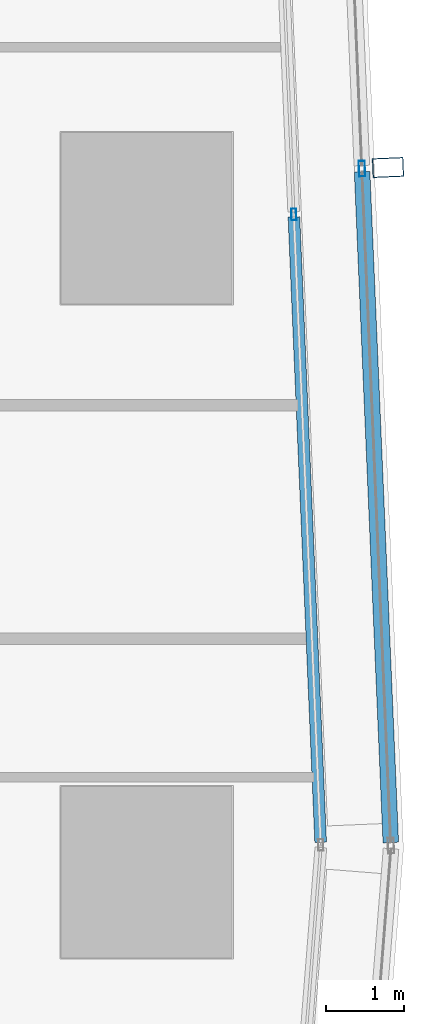
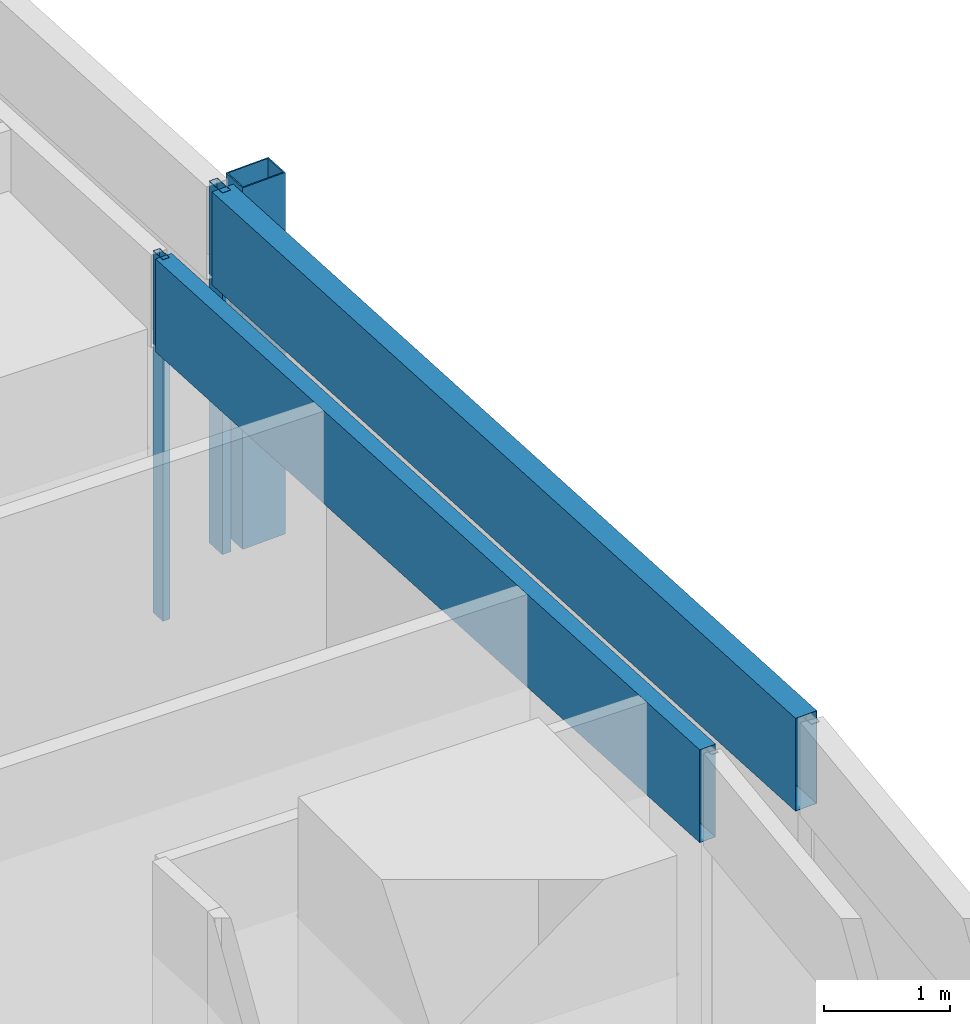
# One storey, part 27 of 45: 5 members, 2 elements without a shape of their own.
"""IFC4 building model written with IfcOpenShell, lengths in metres."""

from ifc_helpers import new_model, si_unit, direction, frame, origin, origin_2d, place, context, subcontext, project, spatial, hollow_rectangle, extrude, material, material_profile, profile_set, type_object, element, aggregate, save


model = new_model("IFC4")

# Units and contexts
model_context = context("Model", 3, precision=1e-05, world=origin(), true_north=direction((0.0, 1.0)))
body_context = subcontext(model_context, "Body", "Model", "MODEL_VIEW")
ifc_project = project(units=[si_unit("LENGTHUNIT", "METRE"), si_unit("AREAUNIT", "SQUARE_METRE"), si_unit("VOLUMEUNIT", "CUBIC_METRE"), si_unit("PLANEANGLEUNIT", "RADIAN"), si_unit("MASSUNIT", "GRAM", prefix="KILO")], contexts=[model_context])

# Site, building, storey
site_placement = place(None, origin())
site = spatial("IfcSite", under=ifc_project, at=site_placement, CompositionType="ELEMENT")
building_placement = place(site_placement, origin())
building = spatial("IfcBuilding", under=site, at=building_placement, Name="Rekha Terrace Tower", CompositionType="ELEMENT")
storey_placement = place(building_placement, frame((0.0, 0.0, 32.89990234375)))
storey = spatial("IfcBuildingStorey", under=building, at=storey_placement, Name="L07", CompositionType="ELEMENT", Elevation=32.89990234375)

# Curtain wall, member
ifc_material_1 = material(Name="Aluminium framing", Category="aluminium")
curtain_wall_type_1 = type_object("IfcCurtainWallType", Name="CW2 double skin outer glazing", PredefinedType="USERDEFINED", material=ifc_material_1)
curtain_wall_1_placement = place(storey_placement, origin())
curtain_wall_1 = element("IfcCurtainWall", 1, at=curtain_wall_1_placement, inside=storey, type_object=curtain_wall_type_1, Name="CW2 double skin outer glazing", ObjectType="DOUBLE SKIN OUTER GLAZING", PredefinedType="USERDEFINED")
ifc_material_2 = material(Name="Steel S355 with fluorocarbon finish", Category="steel")
ifc_material_profile_1 = material_profile(ifc_material_2, hollow_rectangle(XDim=0.25, YDim=0.39990234375, WallThickness=0.012451171875, at=origin_2d()), Name="RHS400x250x12.5")
ifc_profile_set_1 = profile_set([ifc_material_profile_1], Name="Steel S355 with fluorocarbon finish")
member_type_1 = type_object("IfcMemberType", Name="BL1 facade blade RHS 400 x 250", PredefinedType="USERDEFINED", material=ifc_profile_set_1)
member_1_placement = place(storey_placement, frame((70.301025390625, 34.2529296875, 0.0), z_axis=(0.0, 0.0, 1.0), x_axis=(-0.04269522475, 0.99908814315, 0.0)))
member_1 = element("IfcMember", 2, at=member_1_placement, type_object=member_type_1, Name="Facade blade", ObjectType="FACADE BLADE", PredefinedType="USERDEFINED", context=body_context, shape_type="SweptSolid", body=[
    extrude(hollow_rectangle(XDim=0.25, YDim=0.39990234375, WallThickness=0.012451171875, at=origin_2d()), origin(), (0.0, 0.0, 1.0), 3.5),
])

# Curtain wall, members
curtain_wall_type_2 = type_object("IfcCurtainWallType", Name="CW1 double skin inner glazing", PredefinedType="USERDEFINED", material=ifc_material_1)
curtain_wall_2_placement = place(storey_placement, origin())
curtain_wall_2 = element("IfcCurtainWall", 3, at=curtain_wall_2_placement, inside=storey, type_object=curtain_wall_type_2, Name="CW1 double skin inner glazing", ObjectType="DOUBLE SKIN INNER GLAZING", PredefinedType="USERDEFINED")
ifc_material_3 = material(Name="Aluminium mullion section", Category="aluminium")
ifc_material_profile_2 = material_profile(ifc_material_3, hollow_rectangle(XDim=0.06494140625, YDim=0.14990234375, WallThickness=0.00390625, at=origin_2d()), Name="AL RHS 65x150")
ifc_profile_set_2 = profile_set([ifc_material_profile_2], Name="Aluminium mullion section")
member_type_2 = type_object("IfcMemberType", Name="CW1 mullion RHS 65 x 150", PredefinedType="MULLION", material=ifc_profile_set_2)
member_2_placement = place(storey_placement, frame((69.0908203125, 33.650390625, 0.0), z_axis=(0.0, 0.0, 1.0), x_axis=(-0.999088106904, -0.042696072921, 0.0)))
member_2 = element("IfcMember", 4, at=member_2_placement, type_object=member_type_2, Name="CW1 mullion 2", PredefinedType="MULLION", context=body_context, shape_type="SweptSolid", body=[
    extrude(hollow_rectangle(XDim=0.06494140625, YDim=0.14990234375, WallThickness=0.00390625, at=origin_2d()), origin(), (0.0, 0.0, 1.0), 3.5),
])
ifc_material_4 = material(Name="Insulated aluminium spandrel box", Category="aluminium")
ifc_material_profile_3 = material_profile(ifc_material_4, hollow_rectangle(XDim=0.14990234375, YDim=0.89990234375, WallThickness=0.0029296875, at=origin_2d()), Name="AL SPANDREL BOX 150x900")
ifc_profile_set_3 = profile_set([ifc_material_profile_3], Name="Insulated aluminium spandrel box")
member_type_3 = type_object("IfcMemberType", Name="CW1 spandrel transom 150 x 900", PredefinedType="USERDEFINED", material=ifc_profile_set_3)
member_3_placement = place(storey_placement, frame((69.435546875, 25.584228515625, 3.050048828125), z_axis=(-0.042719126599, 0.999087121438, 0.0), x_axis=(-0.999087121438, -0.042719126599, 0.0)))
member_3 = element("IfcMember", 5, at=member_3_placement, type_object=member_type_3, Name="CW1 spandrel transom 1", ObjectType="TRANSOM", PredefinedType="USERDEFINED", context=body_context, shape_type="SweptSolid", body=[
    extrude(hollow_rectangle(XDim=0.14990234375, YDim=0.89990234375, WallThickness=0.0029296875, at=origin_2d()), origin(), (0.0, 0.0, 1.0), 8.041015625),
])
aggregate(curtain_wall_2, [member_2, member_3])

# Member
ifc_material_profile_4 = material_profile(ifc_material_3, hollow_rectangle(XDim=0.080078125, YDim=0.199951171875, WallThickness=0.00390625, at=origin_2d()), Name="AL RHS 80x200")
ifc_profile_set_4 = profile_set([ifc_material_profile_4], Name="Aluminium mullion section")
member_type_4 = type_object("IfcMemberType", Name="CW2 mullion RHS 80 x 200", PredefinedType="MULLION", material=ifc_profile_set_4)
member_4_placement = place(storey_placement, frame((69.96630859375, 34.23876953125, 0.0), z_axis=(0.0, 0.0, 1.0), x_axis=(-0.999088106903, -0.042696072956, 0.0)))
member_4 = element("IfcMember", 6, at=member_4_placement, type_object=member_type_4, Name="CW2 mullion 2", PredefinedType="MULLION", context=body_context, shape_type="SweptSolid", body=[
    extrude(hollow_rectangle(XDim=0.080078125, YDim=0.199951171875, WallThickness=0.00390625, at=origin_2d()), origin(), (0.0, 0.0, 1.0), 3.5),
])

ifc_material_profile_5 = material_profile(ifc_material_4, hollow_rectangle(XDim=0.199951171875, YDim=0.89990234375, WallThickness=0.0029296875, at=origin_2d()), Name="AL SPANDREL BOX 200x900")
ifc_profile_set_5 = profile_set([ifc_material_profile_5], Name="Insulated aluminium spandrel box")
member_type_5 = type_object("IfcMemberType", Name="CW2 spandrel transom 200 x 900", PredefinedType="USERDEFINED", material=ifc_profile_set_5)
member_5_placement = place(storey_placement, frame((70.33642578125, 25.582763671875, 3.050048828125), z_axis=(-0.042719742329, 0.99908709511, 0.0), x_axis=(-0.99908709511, -0.042719742329, 0.0)))
member_5 = element("IfcMember", 7, at=member_5_placement, type_object=member_type_5, Name="CW2 spandrel transom 1", ObjectType="TRANSOM", PredefinedType="USERDEFINED", context=body_context, shape_type="SweptSolid", body=[
    extrude(hollow_rectangle(XDim=0.199951171875, YDim=0.89990234375, WallThickness=0.0029296875, at=origin_2d()), origin(), (0.0, 0.0, 1.0), 8.623779296875),
])

aggregate(curtain_wall_1, [member_4, member_5, member_1])

save(model, "model.ifc")
